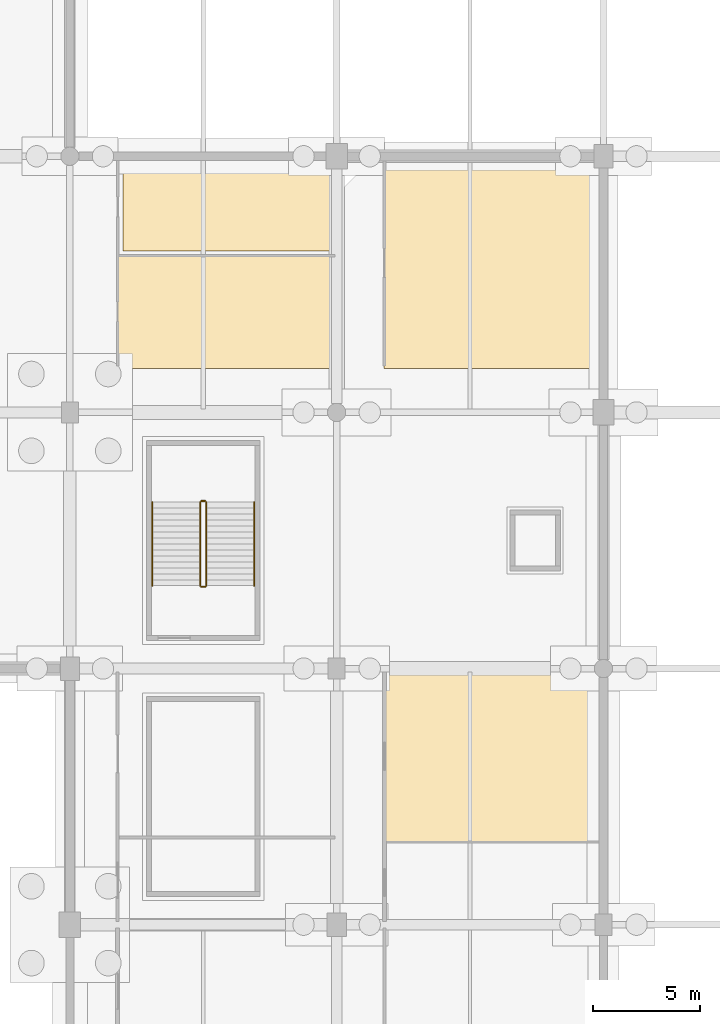
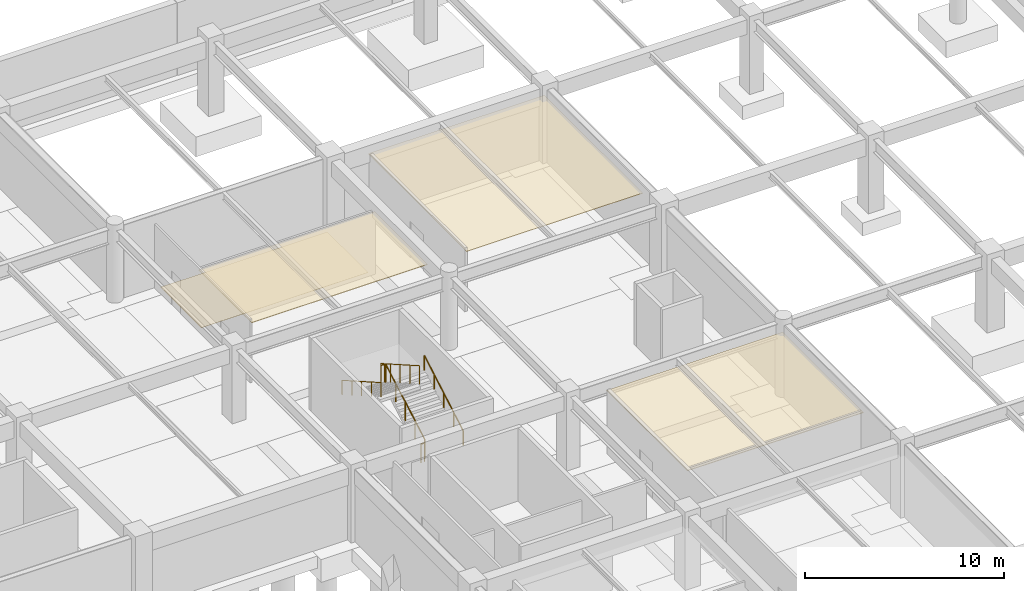
# One storey, part 56 of 56: 6 railings, 4 coverings.
"""IFC4 building model written with IfcOpenShell, lengths in metres."""

from ifc_helpers import new_model, si_unit, direction, frame, origin, origin_2d, place, context, subcontext, project, spatial, polyline, circle, outline, extrude, material, layer, layer_set, type_object, element, save


model = new_model("IFC4")

# Units and contexts
model_context = context("Model", 3, precision=1e-05, world=origin(), true_north=direction((0.0, 1.0)))
body_context = subcontext(model_context, "Body", "Model", "MODEL_VIEW")
ifc_project = project(units=[si_unit("LENGTHUNIT", "METRE"), si_unit("AREAUNIT", "SQUARE_METRE"), si_unit("VOLUMEUNIT", "CUBIC_METRE"), si_unit("PLANEANGLEUNIT", "RADIAN"), si_unit("MASSUNIT", "GRAM", prefix="KILO")], contexts=[model_context])

# Site, building, storey
site_placement = place(None, origin())
site = spatial("IfcSite", under=ifc_project, at=site_placement, CompositionType="ELEMENT")
building_placement = place(site_placement, origin())
building = spatial("IfcBuilding", under=site, at=building_placement, Name="Kazenohara Klinker Stadium", CompositionType="ELEMENT")
storey_placement = place(building_placement, frame((0.0, 0.0, -4.800048828125)))
storey = spatial("IfcBuildingStorey", under=building, at=storey_placement, Name="B01", CompositionType="ELEMENT", Elevation=-4.800048828125)

# Coverings
ifc_material_1 = material(Name="Perforated acoustic mineral-fibre ceiling tile", Category="gypsum")
ifc_layer_1 = layer(ifc_material_1, 0.030029296875)
ifc_layer_set_1 = layer_set([ifc_layer_1], Name="Perforated acoustic mineral-fibre ceiling tile")
covering_type_1 = type_object("IfcCoveringType", Name="COV-CEIL-01", PredefinedType="CEILING", material=ifc_layer_set_1)
covering_1_placement = place(storey_placement, frame((0.0, 0.0, 3.75)))
element("IfcCovering", 1, at=covering_1_placement, inside=storey, type_object=covering_type_1, Name="Suspended acoustic ceiling CL01 Visiting-Club Athlete Changing Room B01-1512A", PredefinedType="CEILING", context=body_context, shape_type="SweptSolid", body=[
    extrude(outline(polyline([(189.7099609375, 146.050048828125), (199.93994140625, 146.050048828125), (199.93994140625, 155.9599609375), (189.7099609375, 155.9599609375), (189.7099609375, 146.050048828125)])), origin(), (0.0, 0.0, 1.0), 0.030029296875),
])
ifc_material_2 = material(Name="Slatted Hokkaido cedar acoustic baffle ceiling", Category="wood")
ifc_layer_2 = layer(ifc_material_2, 0.0400390625)
ifc_layer_set_2 = layer_set([ifc_layer_2], Name="Slatted Hokkaido cedar acoustic baffle ceiling")
covering_type_2 = type_object("IfcCoveringType", Name="COV-CEIL-02", PredefinedType="CEILING", material=ifc_layer_set_2)
covering_2_placement = place(storey_placement, frame((0.0, 0.0, 3.739990234375)))
element("IfcCovering", 2, at=covering_2_placement, inside=storey, type_object=covering_type_2, Name="Suspended acoustic ceiling CL02 Indoor Turf Sprint Training Arena B01-1412A", PredefinedType="CEILING", context=body_context, shape_type="SweptSolid", body=[
    extrude(outline(polyline([(177.2099609375, 146.050048828125), (187.43994140625, 146.050048828125), (187.43994140625, 151.38330078125), (177.2099609375, 151.38330078125), (177.2099609375, 146.050048828125)])), origin(), (0.0, 0.0, 1.0), 0.0400390625),
])
covering_3_placement = place(storey_placement, frame((0.0, 0.0, 3.739990234375)))
element("IfcCovering", 3, at=covering_3_placement, inside=storey, type_object=covering_type_2, Name="Suspended acoustic ceiling CL02 Doping Control Medical Laboratory B01-1510B", PredefinedType="CEILING", context=body_context, shape_type="SweptSolid", body=[
    extrude(outline(polyline([(189.7099609375, 123.834228515625), (199.93994140625, 123.834228515625), (199.93994140625, 131.9599609375), (189.7099609375, 131.9599609375), (189.7099609375, 123.834228515625)])), origin(), (0.0, 0.0, 1.0), 0.0400390625),
])
ifc_material_3 = material(Name="Cushioned EPDM sports rubber flooring", Category="rubber")
ifc_layer_3 = layer(ifc_material_3, 0.014892578125)
ifc_layer_set_3 = layer_set([ifc_layer_3], Name="Cushioned EPDM sports rubber flooring")
covering_type_3 = type_object("IfcCoveringType", Name="COV-FLR-02", PredefinedType="FLOORING", material=ifc_layer_set_3)
covering_4_placement = place(storey_placement, origin())
element("IfcCovering", 4, at=covering_4_placement, inside=storey, type_object=covering_type_3, Name="Interior floor finish FL02 Match Officials Dressing Room B01-1412B", PredefinedType="FLOORING", context=body_context, shape_type="SweptSolid", body=[
    extrude(outline(polyline([(177.47998046875, 151.573486328125), (187.169921875, 151.573486328125), (187.169921875, 155.68994140625), (177.47998046875, 155.68994140625), (177.47998046875, 151.573486328125)])), origin(), (0.0, 0.0, 1.0), 0.01513671875),
])

# Railings
ifc_material_4 = material(Name="Brushed stainless steel 304 handrail", Category="steel")
ifc_layer_4 = layer(ifc_material_4, 0.050048828125)
ifc_layer_set_4 = layer_set([ifc_layer_4], Name="Brushed stainless steel 304 handrail")
railing_type_1 = type_object("IfcRailingType", Name="RL-HND-900", PredefinedType="HANDRAIL", material=ifc_layer_set_4)
railing_1_placement = place(storey_placement, frame((183.639892578125, 135.8798828125, 0.16015625)))
element("IfcRailing", 5, at=railing_1_placement, inside=storey, type_object=railing_type_1, Name="B01 ST12 stair handrail 1", PredefinedType="HANDRAIL", context=body_context, shape_type="SweptSolid", body=[
    extrude(circle(Radius=0.02392578125, at=origin_2d()), frame((0.0, 0.0, 0.8759765625), z_axis=(0.0, 0.86825312469, 0.496121468458), x_axis=(-1.0, 0.0, 0.0)), (0.0, 0.0, 1.0), 4.514892578125),
    extrude(circle(Radius=0.02099609375, at=origin_2d()), origin(), (0.0, 0.0, 1.0), 0.851806640625),
    extrude(circle(Radius=0.02099609375, at=origin_2d()), frame((0.0, 0.97998046875, 0.56005859375)), (0.0, 0.0, 1.0), 0.851806640625),
    extrude(circle(Radius=0.02099609375, at=origin_2d()), frame((0.0, 1.9599609375, 1.1201171875)), (0.0, 0.0, 1.0), 0.851806640625),
    extrude(circle(Radius=0.02099609375, at=origin_2d()), frame((0.0, 2.940185546875, 1.679931640625)), (0.0, 0.0, 1.0), 0.851806640625),
    extrude(circle(Radius=0.02099609375, at=origin_2d()), frame((0.0, 3.920166015625, 2.239990234375)), (0.0, 0.0, 1.0), 0.851806640625),
])
railing_2_placement = place(storey_placement, frame((178.860107421875, 139.800048828125, 2.56005859375)))
element("IfcRailing", 6, at=railing_2_placement, inside=storey, type_object=railing_type_1, Name="B01 ST12 stair handrail 2", PredefinedType="HANDRAIL", context=body_context, shape_type="SweptSolid", body=[
    extrude(circle(Radius=0.02392578125, at=origin_2d()), frame((0.0, 0.0, 0.8759765625), z_axis=(0.0, -0.86825312469, 0.496121468458), x_axis=(1.0, 0.0, 0.0)), (0.0, 0.0, 1.0), 4.514892578125),
    extrude(circle(Radius=0.02099609375, at=origin_2d()), origin(), (0.0, 0.0, 1.0), 0.851806640625),
    extrude(circle(Radius=0.02099609375, at=origin_2d()), frame((0.0, -0.97998046875, 0.56005859375)), (0.0, 0.0, 1.0), 0.851806640625),
    extrude(circle(Radius=0.02099609375, at=origin_2d()), frame((0.0, -1.9599609375, 1.1201171875)), (0.0, 0.0, 1.0), 0.851806640625),
    extrude(circle(Radius=0.02099609375, at=origin_2d()), frame((0.0, -2.940185546875, 1.679931640625)), (0.0, 0.0, 1.0), 0.851806640625),
    extrude(circle(Radius=0.02099609375, at=origin_2d()), frame((0.0, -3.920166015625, 2.239990234375)), (0.0, 0.0, 1.0), 0.851806640625),
])
ifc_material_5 = material(Name="Painted steel stairwell guardrail", Category="steel")
ifc_layer_5 = layer(ifc_material_5, 0.06005859375)
ifc_layer_set_5 = layer_set([ifc_layer_5], Name="Painted steel stairwell guardrail")
railing_type_2 = type_object("IfcRailingType", Name="RL-STG-1120", PredefinedType="GUARDRAIL", material=ifc_layer_set_5)
railing_3_placement = place(storey_placement, frame((181.39990234375, 135.8798828125, 0.16015625)))
element("IfcRailing", 7, at=railing_3_placement, inside=storey, type_object=railing_type_2, Name="B01 ST12 stair guard 1", PredefinedType="GUARDRAIL", context=body_context, shape_type="SweptSolid", body=[
    extrude(circle(Radius=0.02392578125, at=origin_2d()), frame((0.0, 0.0, 1.1259765625), z_axis=(0.0, 0.86825312469, 0.496121468458), x_axis=(-1.0, 0.0, 0.0)), (0.0, 0.0, 1.0), 4.514892578125),
    extrude(circle(Radius=0.02099609375, at=origin_2d()), origin(), (0.0, 0.0, 1.0), 1.101806640625),
    extrude(circle(Radius=0.02099609375, at=origin_2d()), frame((0.0, 0.97998046875, 0.56005859375)), (0.0, 0.0, 1.0), 1.101806640625),
    extrude(circle(Radius=0.02099609375, at=origin_2d()), frame((0.0, 1.9599609375, 1.1201171875)), (0.0, 0.0, 1.0), 1.101806640625),
    extrude(circle(Radius=0.02099609375, at=origin_2d()), frame((0.0, 2.940185546875, 1.679931640625)), (0.0, 0.0, 1.0), 1.101806640625),
    extrude(circle(Radius=0.02099609375, at=origin_2d()), frame((0.0, 3.920166015625, 2.239990234375)), (0.0, 0.0, 1.0), 1.101806640625),
])
railing_4_placement = place(storey_placement, frame((181.35009765625, 139.85009765625, 2.400146484375)))
element("IfcRailing", 8, at=railing_4_placement, inside=storey, type_object=railing_type_2, Name="B01 ST12 stair guard 2", PredefinedType="GUARDRAIL", context=body_context, shape_type="SweptSolid", body=[
    extrude(circle(Radius=0.02392578125, at=origin_2d()), frame((0.0, 0.0, 1.1259765625), z_axis=(-1.0, 0.0, 0.0), x_axis=(0.0, -1.0, 0.0)), (0.0, 0.0, 1.0), 0.2001953125),
    extrude(circle(Radius=0.02099609375, at=origin_2d()), origin(), (0.0, 0.0, 1.0), 1.101806640625),
    extrude(circle(Radius=0.02099609375, at=origin_2d()), frame((-0.2001953125, 0.0, 0.0)), (0.0, 0.0, 1.0), 1.101806640625),
])
railing_5_placement = place(storey_placement, frame((181.10009765625, 139.800048828125, 2.56005859375)))
element("IfcRailing", 9, at=railing_5_placement, inside=storey, type_object=railing_type_2, Name="B01 ST12 stair guard 3", PredefinedType="GUARDRAIL", context=body_context, shape_type="SweptSolid", body=[
    extrude(circle(Radius=0.02392578125, at=origin_2d()), frame((0.0, 0.0, 1.1259765625), z_axis=(0.0, -0.86825312469, 0.496121468458), x_axis=(1.0, 0.0, 0.0)), (0.0, 0.0, 1.0), 4.514892578125),
    extrude(circle(Radius=0.02099609375, at=origin_2d()), origin(), (0.0, 0.0, 1.0), 1.101806640625),
    extrude(circle(Radius=0.02099609375, at=origin_2d()), frame((0.0, -0.97998046875, 0.56005859375)), (0.0, 0.0, 1.0), 1.101806640625),
    extrude(circle(Radius=0.02099609375, at=origin_2d()), frame((0.0, -1.9599609375, 1.1201171875)), (0.0, 0.0, 1.0), 1.101806640625),
    extrude(circle(Radius=0.02099609375, at=origin_2d()), frame((0.0, -2.940185546875, 1.679931640625)), (0.0, 0.0, 1.0), 1.101806640625),
    extrude(circle(Radius=0.02099609375, at=origin_2d()), frame((0.0, -3.920166015625, 2.239990234375)), (0.0, 0.0, 1.0), 1.101806640625),
])
railing_6_placement = place(storey_placement, frame((181.35009765625, 135.830078125, 0.0)))
element("IfcRailing", 10, at=railing_6_placement, inside=storey, type_object=railing_type_2, Name="B01 ST12 stair guard 4", PredefinedType="GUARDRAIL", context=body_context, shape_type="SweptSolid", body=[
    extrude(circle(Radius=0.02392578125, at=origin_2d()), frame((0.0, 0.0, 1.1259765625), z_axis=(-1.0, 0.0, 0.0), x_axis=(0.0, -1.0, 0.0)), (0.0, 0.0, 1.0), 0.2001953125),
    extrude(circle(Radius=0.02099609375, at=origin_2d()), origin(), (0.0, 0.0, 1.0), 1.101806640625),
    extrude(circle(Radius=0.02099609375, at=origin_2d()), frame((-0.2001953125, 0.0, 0.0)), (0.0, 0.0, 1.0), 1.101806640625),
])

save(model, "model.ifc")
